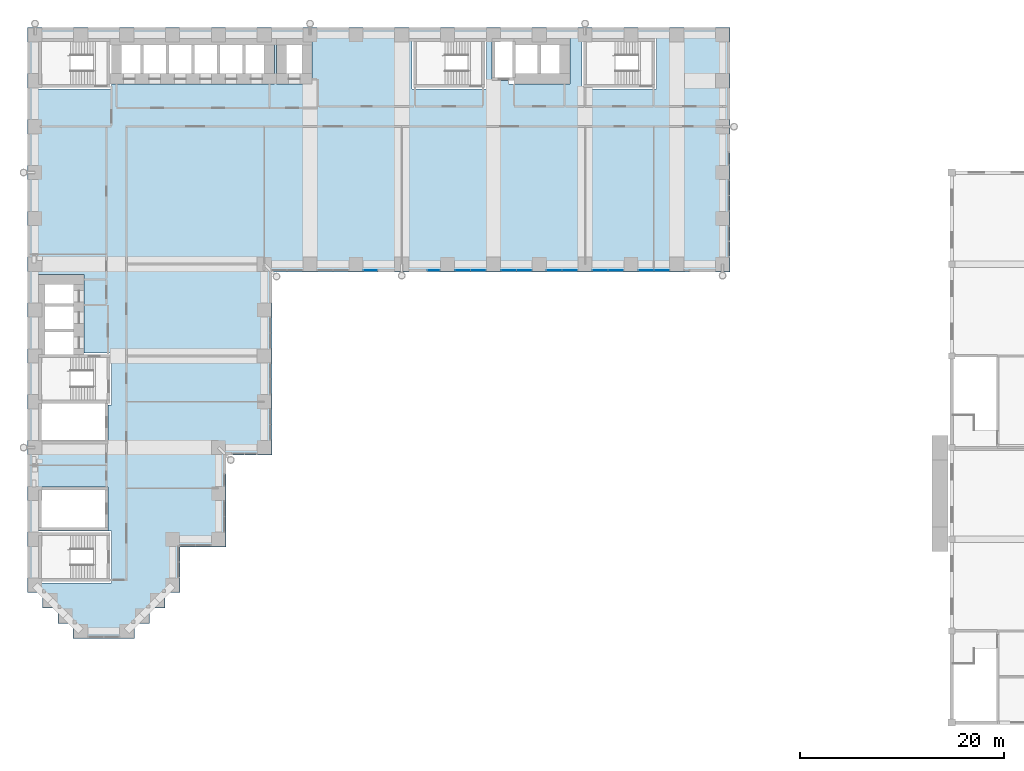
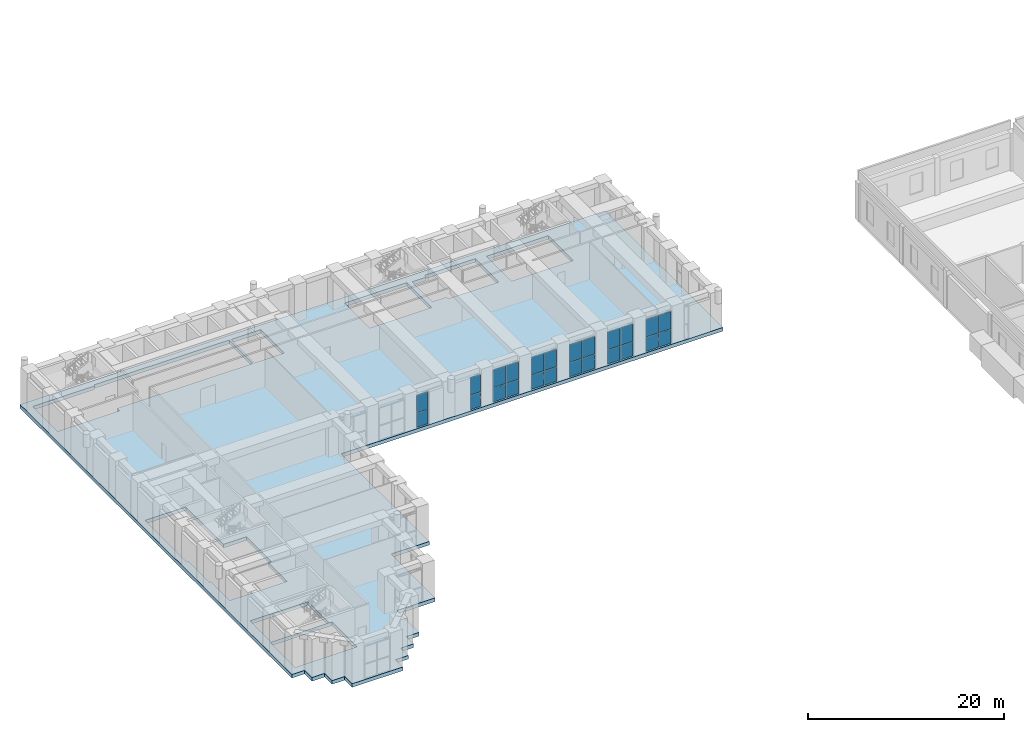
# One storey, part 14 of 35: 24 plates, 1 slab, 7 elements without a shape of their own.
"""IFC4 building model written with IfcOpenShell, lengths in metres."""

from ifc_helpers import new_model, si_unit, direction, frame, origin, origin_2d, place, context, subcontext, project, spatial, polyline, rectangle, outline, extrude, material, layer, layer_set, type_object, element, aggregate, save


model = new_model("IFC4")

# Units and contexts
model_context = context("Model", 3, precision=1e-05, world=origin(), true_north=direction((0.0, 1.0)))
body_context = subcontext(model_context, "Body", "Model", "MODEL_VIEW")
ifc_project = project(units=[si_unit("LENGTHUNIT", "METRE"), si_unit("AREAUNIT", "SQUARE_METRE"), si_unit("VOLUMEUNIT", "CUBIC_METRE"), si_unit("PLANEANGLEUNIT", "RADIAN"), si_unit("MASSUNIT", "GRAM", prefix="KILO")], contexts=[model_context])

# Site, building, storey
site_placement = place(None, origin())
site = spatial("IfcSite", under=ifc_project, at=site_placement, CompositionType="ELEMENT")
building_placement = place(site_placement, origin())
building = spatial("IfcBuilding", under=site, at=building_placement, Name="Firuza Court", CompositionType="ELEMENT")
storey_placement = place(building_placement, frame((0.0, 0.0, 24.0)))
storey = spatial("IfcBuildingStorey", under=building, at=storey_placement, Name="L04", CompositionType="ELEMENT", Elevation=24.0)

# Slab
ifc_material_1 = material(Name="Concrete C40/50", Category="concrete")
ifc_layer_1 = layer(ifc_material_1, 0.449951171875)
ifc_layer_set_1 = layer_set([ifc_layer_1], Name="Concrete C40/50")
slab_type = type_object("IfcSlabType", Name="Floor slab 450 C40/50", PredefinedType="FLOOR", material=ifc_layer_set_1)
slab_placement = place(storey_placement, frame((0.0, 0.0, -0.449951171875)))
element("IfcSlab", 1, at=slab_placement, inside=storey, type_object=slab_type, Name="Floor slab L04", PredefinedType="FLOOR", context=body_context, shape_type="SweptSolid", body=[
    extrude(outline(polyline([(3.75, -0.75), (3.75, 0.75), (2.25, 0.75), (2.25, 2.25), (0.75, 2.25), (0.75, 3.75), (-0.75, 3.75), (-0.75, 59.25), (68.25, 59.25), (68.25, 35.25), (23.25, 35.25), (23.25, 17.25), (18.75, 17.25), (18.75, 8.25), (14.25, 8.25), (14.25, 3.75), (12.75, 3.75), (12.75, 2.25), (11.25, 2.25), (11.25, 0.75), (9.75, 0.75), (9.75, -0.75), (3.75, -0.75)]), holes=[polyline([(7.5, 9.800048828125), (0.199951171875, 9.800048828125), (0.199951171875, 4.699951171875), (7.5, 4.699951171875), (7.5, 9.800048828125)]), polyline([(7.14990234375, 14.14990234375), (0.35009765625, 14.14990234375), (0.35009765625, 9.85009765625), (7.14990234375, 9.85009765625), (7.14990234375, 14.14990234375)]), polyline([(0.199951171875, 22.199951171875), (0.35009765625, 22.199951171875), (0.35009765625, 18.35009765625), (7.14990234375, 18.35009765625), (7.14990234375, 22.199951171875), (7.5, 22.199951171875), (7.5, 27.300048828125), (4.800048828125, 27.300048828125), (4.800048828125, 29.0), (4.800048828125, 30.0), (4.800048828125, 31.5), (4.800048828125, 32.5), (4.800048828125, 35.0), (0.0, 35.0), (0.0, 32.5), (0.0, 31.5), (0.0, 30.0), (0.0, 29.0), (0.0, 26.5), (0.199951171875, 26.5), (0.199951171875, 22.199951171875)]), polyline([(7.5, 58.300048828125), (0.199951171875, 58.300048828125), (0.199951171875, 53.199951171875), (7.5, 53.199951171875), (7.5, 53.699951171875), (10.0, 53.699951171875), (11.0, 53.699951171875), (12.5, 53.699951171875), (13.5, 53.699951171875), (15.0, 53.699951171875), (16.0, 53.699951171875), (17.5, 53.699951171875), (18.5, 53.699951171875), (20.0, 53.699951171875), (21.0, 53.699951171875), (23.5, 53.699951171875), (23.5, 58.5), (21.0, 58.5), (20.0, 58.5), (18.5, 58.5), (17.5, 58.5), (16.0, 58.5), (15.0, 58.5), (13.5, 58.5), (12.5, 58.5), (11.0, 58.5), (10.0, 58.5), (7.5, 58.5), (7.5, 58.300048828125)]), polyline([(44.300048828125, 58.300048828125), (37.0, 58.300048828125), (37.0, 53.199951171875), (44.300048828125, 53.199951171875), (44.300048828125, 58.300048828125)]), polyline([(61.0, 58.300048828125), (53.699951171875, 58.300048828125), (53.699951171875, 53.199951171875), (61.0, 53.199951171875), (61.0, 58.300048828125)]), polyline([(27.199951171875, 58.5), (23.699951171875, 58.5), (23.699951171875, 53.699951171875), (27.199951171875, 53.699951171875), (27.199951171875, 58.5)]), polyline([(46.5, 58.14990234375), (44.85009765625, 58.14990234375), (44.85009765625, 54.050048828125), (46.5, 54.050048828125), (46.5, 53.699951171875), (49.0, 53.699951171875), (50.0, 53.699951171875), (52.5, 53.699951171875), (52.5, 58.5), (50.0, 58.5), (49.0, 58.5), (46.5, 58.5), (46.5, 58.14990234375)])]), origin(), (0.0, 0.0, 1.0), 0.449951171875),
])

# Curtain wall, plates
ifc_material_2 = material(Name="Aluminium curtain wall, triple clear glazing", Category="aluminium")
curtain_wall_type = type_object("IfcCurtainWallType", Name="Podium unitised curtain wall CW1", PredefinedType="NOTDEFINED", material=ifc_material_2)
curtain_wall_1_placement = place(storey_placement, origin())
curtain_wall_1 = element("IfcCurtainWall", 2, at=curtain_wall_1_placement, inside=storey, type_object=curtain_wall_type, Name="Podium unitised curtain wall CW1 L04", PredefinedType="NOTDEFINED")
ifc_material_3 = material(Name="Triple clear glazing", Category="glass")
ifc_layer_2 = layer(ifc_material_3, 0.031982421875)
ifc_layer_set_2 = layer_set([ifc_layer_2], Name="Triple clear glazing")
plate_type = type_object("IfcPlateType", Name="Glazed panel 32 CW1", PredefinedType="CURTAIN_PANEL", material=ifc_layer_set_2)
plate_1_placement = place(storey_placement, frame((32.92578125, 35.39990234375, 0.06005859375), z_axis=(0.0, 0.0, 1.0), x_axis=(1.0, 0.0, 0.0)))
plate_1 = element("IfcPlate", 3, at=plate_1_placement, type_object=plate_type, Name="CW1 panel 1.1", PredefinedType="CURTAIN_PANEL", context=body_context, shape_type="SweptSolid", body=[
    extrude(rectangle(XDim=1.33154296875, YDim=0.031982421875, at=origin_2d()), origin(), (0.0, 0.0, 1.0), 1.7548828125),
])
plate_2_placement = place(storey_placement, frame((32.92578125, 35.39990234375, 1.875), z_axis=(0.0, 0.0, 1.0), x_axis=(1.0, 0.0, 0.0)))
plate_2 = element("IfcPlate", 4, at=plate_2_placement, type_object=plate_type, Name="CW1 panel 1.2", PredefinedType="CURTAIN_PANEL", context=body_context, shape_type="SweptSolid", body=[
    extrude(rectangle(XDim=1.33154296875, YDim=0.031982421875, at=origin_2d()), origin(), (0.0, 0.0, 1.0), 2.1650390625),
])
aggregate(curtain_wall_1, [plate_1, plate_2])

curtain_wall_2_placement = place(storey_placement, origin())
curtain_wall_2 = element("IfcCurtainWall", 5, at=curtain_wall_2_placement, inside=storey, type_object=curtain_wall_type, Name="Podium unitised curtain wall CW1 L04", PredefinedType="NOTDEFINED")
plate_3_placement = place(storey_placement, frame((39.154541015625, 35.39990234375, 0.06005859375), z_axis=(0.0, 0.0, 1.0), x_axis=(1.0, 0.0, 0.0)))
plate_3 = element("IfcPlate", 6, at=plate_3_placement, type_object=plate_type, Name="CW1 panel 1.1", PredefinedType="CURTAIN_PANEL", context=body_context, shape_type="SweptSolid", body=[
    extrude(rectangle(XDim=1.1708984375, YDim=0.031982421875, at=origin_2d()), origin(), (0.0, 0.0, 1.0), 1.7548828125),
])
plate_4_placement = place(storey_placement, frame((39.154541015625, 35.39990234375, 1.875), z_axis=(0.0, 0.0, 1.0), x_axis=(1.0, 0.0, 0.0)))
plate_4 = element("IfcPlate", 7, at=plate_4_placement, type_object=plate_type, Name="CW1 panel 1.2", PredefinedType="CURTAIN_PANEL", context=body_context, shape_type="SweptSolid", body=[
    extrude(rectangle(XDim=1.1708984375, YDim=0.031982421875, at=origin_2d()), origin(), (0.0, 0.0, 1.0), 2.1650390625),
])
aggregate(curtain_wall_2, [plate_3, plate_4])

curtain_wall_3_placement = place(storey_placement, origin())
curtain_wall_3 = element("IfcCurtainWall", 8, at=curtain_wall_3_placement, inside=storey, type_object=curtain_wall_type, Name="Podium unitised curtain wall CW1 L04", PredefinedType="NOTDEFINED")
plate_5_placement = place(storey_placement, frame((41.989990234375, 35.39990234375, 0.06005859375), z_axis=(0.0, 0.0, 1.0), x_axis=(1.0, 0.0, 0.0)))
plate_5 = element("IfcPlate", 9, at=plate_5_placement, type_object=plate_type, Name="CW1 panel 1.1", PredefinedType="CURTAIN_PANEL", context=body_context, shape_type="SweptSolid", body=[
    extrude(rectangle(XDim=1.4599609375, YDim=0.031982421875, at=origin_2d()), origin(), (0.0, 0.0, 1.0), 1.7548828125),
])
plate_6_placement = place(storey_placement, frame((41.989990234375, 35.39990234375, 1.875), z_axis=(0.0, 0.0, 1.0), x_axis=(1.0, 0.0, 0.0)))
plate_6 = element("IfcPlate", 10, at=plate_6_placement, type_object=plate_type, Name="CW1 panel 1.2", PredefinedType="CURTAIN_PANEL", context=body_context, shape_type="SweptSolid", body=[
    extrude(rectangle(XDim=1.4599609375, YDim=0.031982421875, at=origin_2d()), origin(), (0.0, 0.0, 1.0), 2.1650390625),
])
plate_7_placement = place(storey_placement, frame((43.510009765625, 35.39990234375, 0.06005859375), z_axis=(0.0, 0.0, 1.0), x_axis=(1.0, 0.0, 0.0)))
plate_7 = element("IfcPlate", 11, at=plate_7_placement, type_object=plate_type, Name="CW1 panel 2.1", PredefinedType="CURTAIN_PANEL", context=body_context, shape_type="SweptSolid", body=[
    extrude(rectangle(XDim=1.4599609375, YDim=0.031982421875, at=origin_2d()), origin(), (0.0, 0.0, 1.0), 1.7548828125),
])
plate_8_placement = place(storey_placement, frame((43.510009765625, 35.39990234375, 1.875), z_axis=(0.0, 0.0, 1.0), x_axis=(1.0, 0.0, 0.0)))
plate_8 = element("IfcPlate", 12, at=plate_8_placement, type_object=plate_type, Name="CW1 panel 2.2", PredefinedType="CURTAIN_PANEL", context=body_context, shape_type="SweptSolid", body=[
    extrude(rectangle(XDim=1.4599609375, YDim=0.031982421875, at=origin_2d()), origin(), (0.0, 0.0, 1.0), 2.1650390625),
])
aggregate(curtain_wall_3, [plate_5, plate_6, plate_7, plate_8])

curtain_wall_4_placement = place(storey_placement, origin())
curtain_wall_4 = element("IfcCurtainWall", 13, at=curtain_wall_4_placement, inside=storey, type_object=curtain_wall_type, Name="Podium unitised curtain wall CW1 L04", PredefinedType="NOTDEFINED")
plate_9_placement = place(storey_placement, frame((46.489990234375, 35.39990234375, 0.06005859375), z_axis=(0.0, 0.0, 1.0), x_axis=(1.0, 0.0, 0.0)))
plate_9 = element("IfcPlate", 14, at=plate_9_placement, type_object=plate_type, Name="CW1 panel 1.1", PredefinedType="CURTAIN_PANEL", context=body_context, shape_type="SweptSolid", body=[
    extrude(rectangle(XDim=1.4599609375, YDim=0.031982421875, at=origin_2d()), origin(), (0.0, 0.0, 1.0), 1.7548828125),
])
plate_10_placement = place(storey_placement, frame((46.489990234375, 35.39990234375, 1.875), z_axis=(0.0, 0.0, 1.0), x_axis=(1.0, 0.0, 0.0)))
plate_10 = element("IfcPlate", 15, at=plate_10_placement, type_object=plate_type, Name="CW1 panel 1.2", PredefinedType="CURTAIN_PANEL", context=body_context, shape_type="SweptSolid", body=[
    extrude(rectangle(XDim=1.4599609375, YDim=0.031982421875, at=origin_2d()), origin(), (0.0, 0.0, 1.0), 2.1650390625),
])
plate_11_placement = place(storey_placement, frame((48.010009765625, 35.39990234375, 0.06005859375), z_axis=(0.0, 0.0, 1.0), x_axis=(1.0, 0.0, 0.0)))
plate_11 = element("IfcPlate", 16, at=plate_11_placement, type_object=plate_type, Name="CW1 panel 2.1", PredefinedType="CURTAIN_PANEL", context=body_context, shape_type="SweptSolid", body=[
    extrude(rectangle(XDim=1.4599609375, YDim=0.031982421875, at=origin_2d()), origin(), (0.0, 0.0, 1.0), 1.7548828125),
])
plate_12_placement = place(storey_placement, frame((48.010009765625, 35.39990234375, 1.875), z_axis=(0.0, 0.0, 1.0), x_axis=(1.0, 0.0, 0.0)))
plate_12 = element("IfcPlate", 17, at=plate_12_placement, type_object=plate_type, Name="CW1 panel 2.2", PredefinedType="CURTAIN_PANEL", context=body_context, shape_type="SweptSolid", body=[
    extrude(rectangle(XDim=1.4599609375, YDim=0.031982421875, at=origin_2d()), origin(), (0.0, 0.0, 1.0), 2.1650390625),
])
aggregate(curtain_wall_4, [plate_9, plate_10, plate_11, plate_12])

curtain_wall_5_placement = place(storey_placement, origin())
curtain_wall_5 = element("IfcCurtainWall", 18, at=curtain_wall_5_placement, inside=storey, type_object=curtain_wall_type, Name="Podium unitised curtain wall CW1 L04", PredefinedType="NOTDEFINED")
plate_13_placement = place(storey_placement, frame((50.989990234375, 35.39990234375, 0.06005859375), z_axis=(0.0, 0.0, 1.0), x_axis=(1.0, 0.0, 0.0)))
plate_13 = element("IfcPlate", 19, at=plate_13_placement, type_object=plate_type, Name="CW1 panel 1.1", PredefinedType="CURTAIN_PANEL", context=body_context, shape_type="SweptSolid", body=[
    extrude(rectangle(XDim=1.4599609375, YDim=0.031982421875, at=origin_2d()), origin(), (0.0, 0.0, 1.0), 1.7548828125),
])
plate_14_placement = place(storey_placement, frame((50.989990234375, 35.39990234375, 1.875), z_axis=(0.0, 0.0, 1.0), x_axis=(1.0, 0.0, 0.0)))
plate_14 = element("IfcPlate", 20, at=plate_14_placement, type_object=plate_type, Name="CW1 panel 1.2", PredefinedType="CURTAIN_PANEL", context=body_context, shape_type="SweptSolid", body=[
    extrude(rectangle(XDim=1.4599609375, YDim=0.031982421875, at=origin_2d()), origin(), (0.0, 0.0, 1.0), 2.1650390625),
])
plate_15_placement = place(storey_placement, frame((52.510009765625, 35.39990234375, 0.06005859375), z_axis=(0.0, 0.0, 1.0), x_axis=(1.0, 0.0, 0.0)))
plate_15 = element("IfcPlate", 21, at=plate_15_placement, type_object=plate_type, Name="CW1 panel 2.1", PredefinedType="CURTAIN_PANEL", context=body_context, shape_type="SweptSolid", body=[
    extrude(rectangle(XDim=1.4599609375, YDim=0.031982421875, at=origin_2d()), origin(), (0.0, 0.0, 1.0), 1.7548828125),
])
plate_16_placement = place(storey_placement, frame((52.510009765625, 35.39990234375, 1.875), z_axis=(0.0, 0.0, 1.0), x_axis=(1.0, 0.0, 0.0)))
plate_16 = element("IfcPlate", 22, at=plate_16_placement, type_object=plate_type, Name="CW1 panel 2.2", PredefinedType="CURTAIN_PANEL", context=body_context, shape_type="SweptSolid", body=[
    extrude(rectangle(XDim=1.4599609375, YDim=0.031982421875, at=origin_2d()), origin(), (0.0, 0.0, 1.0), 2.1650390625),
])
aggregate(curtain_wall_5, [plate_13, plate_14, plate_15, plate_16])

curtain_wall_6_placement = place(storey_placement, origin())
curtain_wall_6 = element("IfcCurtainWall", 23, at=curtain_wall_6_placement, inside=storey, type_object=curtain_wall_type, Name="Podium unitised curtain wall CW1 L04", PredefinedType="NOTDEFINED")
plate_17_placement = place(storey_placement, frame((55.489990234375, 35.39990234375, 0.06005859375), z_axis=(0.0, 0.0, 1.0), x_axis=(1.0, 0.0, 0.0)))
plate_17 = element("IfcPlate", 24, at=plate_17_placement, type_object=plate_type, Name="CW1 panel 1.1", PredefinedType="CURTAIN_PANEL", context=body_context, shape_type="SweptSolid", body=[
    extrude(rectangle(XDim=1.4599609375, YDim=0.031982421875, at=origin_2d()), origin(), (0.0, 0.0, 1.0), 1.7548828125),
])
plate_18_placement = place(storey_placement, frame((55.489990234375, 35.39990234375, 1.875), z_axis=(0.0, 0.0, 1.0), x_axis=(1.0, 0.0, 0.0)))
plate_18 = element("IfcPlate", 25, at=plate_18_placement, type_object=plate_type, Name="CW1 panel 1.2", PredefinedType="CURTAIN_PANEL", context=body_context, shape_type="SweptSolid", body=[
    extrude(rectangle(XDim=1.4599609375, YDim=0.031982421875, at=origin_2d()), origin(), (0.0, 0.0, 1.0), 2.1650390625),
])
plate_19_placement = place(storey_placement, frame((57.010009765625, 35.39990234375, 0.06005859375), z_axis=(0.0, 0.0, 1.0), x_axis=(1.0, 0.0, 0.0)))
plate_19 = element("IfcPlate", 26, at=plate_19_placement, type_object=plate_type, Name="CW1 panel 2.1", PredefinedType="CURTAIN_PANEL", context=body_context, shape_type="SweptSolid", body=[
    extrude(rectangle(XDim=1.4599609375, YDim=0.031982421875, at=origin_2d()), origin(), (0.0, 0.0, 1.0), 1.7548828125),
])
plate_20_placement = place(storey_placement, frame((57.010009765625, 35.39990234375, 1.875), z_axis=(0.0, 0.0, 1.0), x_axis=(1.0, 0.0, 0.0)))
plate_20 = element("IfcPlate", 27, at=plate_20_placement, type_object=plate_type, Name="CW1 panel 2.2", PredefinedType="CURTAIN_PANEL", context=body_context, shape_type="SweptSolid", body=[
    extrude(rectangle(XDim=1.4599609375, YDim=0.031982421875, at=origin_2d()), origin(), (0.0, 0.0, 1.0), 2.1650390625),
])
aggregate(curtain_wall_6, [plate_17, plate_18, plate_19, plate_20])

curtain_wall_7_placement = place(storey_placement, origin())
curtain_wall_7 = element("IfcCurtainWall", 28, at=curtain_wall_7_placement, inside=storey, type_object=curtain_wall_type, Name="Podium unitised curtain wall CW1 L04", PredefinedType="NOTDEFINED")
plate_21_placement = place(storey_placement, frame((59.989990234375, 35.39990234375, 0.06005859375), z_axis=(0.0, 0.0, 1.0), x_axis=(1.0, 0.0, 0.0)))
plate_21 = element("IfcPlate", 29, at=plate_21_placement, type_object=plate_type, Name="CW1 panel 1.1", PredefinedType="CURTAIN_PANEL", context=body_context, shape_type="SweptSolid", body=[
    extrude(rectangle(XDim=1.4599609375, YDim=0.031982421875, at=origin_2d()), origin(), (0.0, 0.0, 1.0), 1.7548828125),
])
plate_22_placement = place(storey_placement, frame((59.989990234375, 35.39990234375, 1.875), z_axis=(0.0, 0.0, 1.0), x_axis=(1.0, 0.0, 0.0)))
plate_22 = element("IfcPlate", 30, at=plate_22_placement, type_object=plate_type, Name="CW1 panel 1.2", PredefinedType="CURTAIN_PANEL", context=body_context, shape_type="SweptSolid", body=[
    extrude(rectangle(XDim=1.4599609375, YDim=0.031982421875, at=origin_2d()), origin(), (0.0, 0.0, 1.0), 2.1650390625),
])
plate_23_placement = place(storey_placement, frame((61.510009765625, 35.39990234375, 0.06005859375), z_axis=(0.0, 0.0, 1.0), x_axis=(1.0, 0.0, 0.0)))
plate_23 = element("IfcPlate", 31, at=plate_23_placement, type_object=plate_type, Name="CW1 panel 2.1", PredefinedType="CURTAIN_PANEL", context=body_context, shape_type="SweptSolid", body=[
    extrude(rectangle(XDim=1.4599609375, YDim=0.031982421875, at=origin_2d()), origin(), (0.0, 0.0, 1.0), 1.7548828125),
])
plate_24_placement = place(storey_placement, frame((61.510009765625, 35.39990234375, 1.875), z_axis=(0.0, 0.0, 1.0), x_axis=(1.0, 0.0, 0.0)))
plate_24 = element("IfcPlate", 32, at=plate_24_placement, type_object=plate_type, Name="CW1 panel 2.2", PredefinedType="CURTAIN_PANEL", context=body_context, shape_type="SweptSolid", body=[
    extrude(rectangle(XDim=1.4599609375, YDim=0.031982421875, at=origin_2d()), origin(), (0.0, 0.0, 1.0), 2.1650390625),
])
aggregate(curtain_wall_7, [plate_21, plate_22, plate_23, plate_24])

save(model, "model.ifc")
